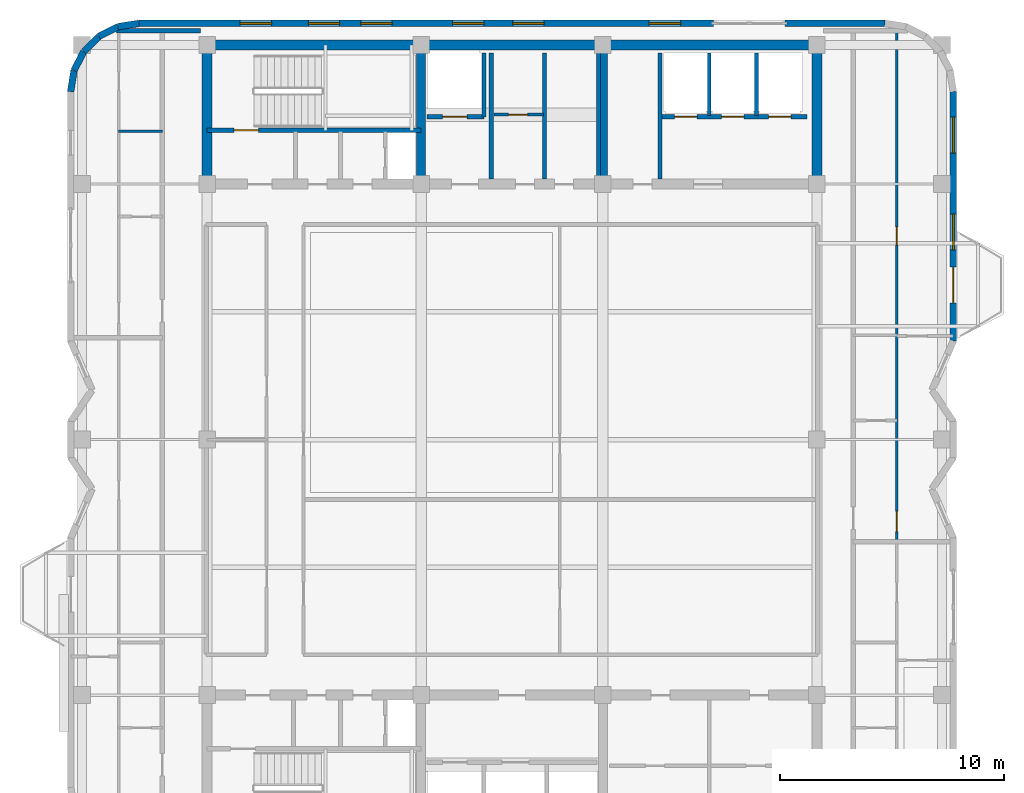
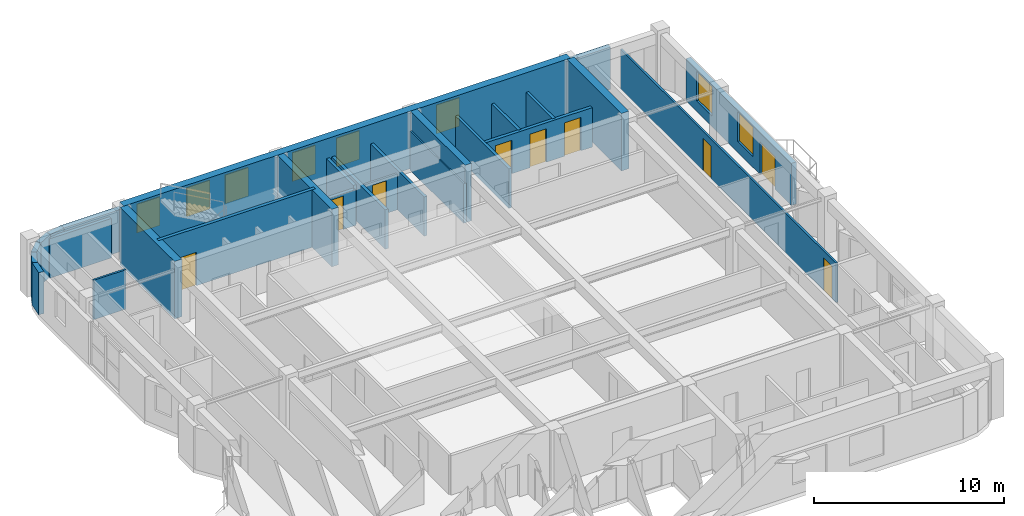
# One storey, part 8 of 11: 27 walls, 9 doors, 8 windows, 17 openings.
"""IFC4 building model written with IfcOpenShell, lengths in metres."""

from ifc_helpers import new_model, si_unit, direction, frame, frame_2d, origin, place, context, subcontext, project, spatial, rectangle, extrude, material, layer, layer_set, type_object, element, fill, save


model = new_model("IFC4")

# Units and contexts
model_context = context("Model", 3, precision=1e-05, world=origin(), true_north=direction((0.0, 1.0)))
body_context = subcontext(model_context, "Body", "Model", "MODEL_VIEW")
ifc_project = project(units=[si_unit("LENGTHUNIT", "METRE"), si_unit("AREAUNIT", "SQUARE_METRE"), si_unit("VOLUMEUNIT", "CUBIC_METRE"), si_unit("PLANEANGLEUNIT", "RADIAN"), si_unit("MASSUNIT", "GRAM", prefix="KILO")], contexts=[model_context])

# Site, building, storey
site_placement = place(None, origin())
site = spatial("IfcSite", under=ifc_project, at=site_placement, CompositionType="ELEMENT")
building_placement = place(site_placement, origin())
building = spatial("IfcBuilding", under=site, at=building_placement, Name="Svetorya Sky Lyceum", CompositionType="ELEMENT")
storey_placement = place(building_placement, frame((0.0, 0.0, 293.5)))
storey = spatial("IfcBuildingStorey", under=building, at=storey_placement, Name="L74", CompositionType="ELEMENT", Elevation=293.5)

# Walls
ifc_material_1 = material(Name="Concrete C40/50", Category="concrete")
ifc_layer_1 = layer(ifc_material_1, 0.39990234375)
ifc_layer_set_1 = layer_set([ifc_layer_1], Name="Concrete C40/50")
wall_type_1 = type_object("IfcWallType", Name="WL-CORE-400", PredefinedType="SHEAR", material=ifc_layer_set_1)
for number, where, z_axis, x_axis, name in (
    (1, (35.14990234375, 39.824951171875, 0.0), (0.0, 0.0, 1.0), (0.0, 1.0, 0.0), "L74 NC Internal Shear Web WEB1"),
    (2, (43.25, 39.824951171875, 0.0), (0.0, 0.0, 1.0), (0.0, 1.0, 0.0), "L74 NC Internal Shear Web WEB2"),
):
    element("IfcWall", number, at=place(storey_placement, frame(where, z_axis=z_axis, x_axis=x_axis)), inside=storey, type_object=wall_type_1, Name=name, PredefinedType="SHEAR", context=body_context, shape_type="SweptSolid", body=[
        extrude(rectangle(XDim=5.75, YDim=0.39990234375, at=frame_2d((2.875, 0.0))), origin(), (0.0, 0.0, 1.0), 3.699951171875),
    ])
ifc_material_2 = material(Name="Concrete C50/60", Category="concrete")
ifc_layer_2 = layer(ifc_material_2, 0.449951171875)
ifc_layer_set_2 = layer_set([ifc_layer_2], Name="Concrete C50/60")
wall_type_2 = type_object("IfcWallType", Name="WL-CORE-450", PredefinedType="SHEAR", material=ifc_layer_set_2)
wall_1_placement = place(storey_placement, frame((25.60009765625, 45.800048828125, 0.0), z_axis=(0.0, 0.0, 1.0), x_axis=(1.0, 0.0, 0.0)))
element("IfcWall", 3, at=wall_1_placement, inside=storey, type_object=wall_type_2, Name="L74 NC Outer Core Shear Wall", PredefinedType="SHEAR", context=body_context, shape_type="SweptSolid", body=[
    extrude(rectangle(XDim=27.199951171875, YDim=0.449951171875, at=frame_2d((13.60009765625, 0.0))), origin(), (0.0, 0.0, 1.0), 3.699951171875),
])
for number, where, z_axis, x_axis, name in (
    (4, (25.60009765625, 39.824951171875, 0.0), (0.0, 0.0, 1.0), (0.0, 1.0, 0.0), "L74 NC West Core Shear Wall"),
    (5, (52.800048828125, 39.824951171875, 0.0), (0.0, 0.0, 1.0), (0.0, 1.0, 0.0), "L74 NC East Core Shear Wall"),
):
    element("IfcWall", number, at=place(storey_placement, frame(where, z_axis=z_axis, x_axis=x_axis)), inside=storey, type_object=wall_type_2, Name=name, PredefinedType="SHEAR", context=body_context, shape_type="SweptSolid", body=[
        extrude(rectangle(XDim=5.75, YDim=0.449951171875, at=frame_2d((2.875, 0.0))), origin(), (0.0, 0.0, 1.0), 3.699951171875),
    ])

# Wall, openings, door, windows
ifc_material_3 = material(Name="Putilovo limestone rainscreen on autoclaved cellular masonry", Category="masonry")
ifc_layer_3 = layer(ifc_material_3, 0.300048828125)
ifc_layer_set_3 = layer_set([ifc_layer_3], Name="Putilovo limestone rainscreen on autoclaved cellular masonry")
wall_type_3 = type_object("IfcWallType", Name="WL-EXT-300", PredefinedType="SOLIDWALL", material=ifc_layer_set_3)
wall_2_placement = place(storey_placement, frame((58.889892578125, 32.60009765625, 0.0), z_axis=(0.0, 0.0, 1.0), x_axis=(0.0, 1.0, 0.0)))
wall_2 = element("IfcWall", 6, at=wall_2_placement, inside=storey, type_object=wall_type_3, Name="L74 Limestone Exterior Wall 18M", PredefinedType="SOLIDWALL", context=body_context, shape_type="SweptSolid", body=[
    extrude(rectangle(XDim=11.119873046875, YDim=0.300048828125, at=frame_2d((5.56005859375, 0.0))), origin(), (0.0, 0.0, 1.0), 2.7099609375),
])
opening_1_placement = place(wall_2_placement, frame((1.699951171875, 0.0, 0.0)))
opening_1 = element("IfcOpeningElement", 7, at=opening_1_placement, cuts=wall_2, Name="Opening D-BL1", PredefinedType="OPENING", context=body_context, shape_type="SweptSolid", body=[
    extrude(rectangle(XDim=1.60009765625, YDim=2.10009765625, at=frame_2d((0.800048828125, 1.050048828125))), frame((0.0, 0.159912109375, 0.0), z_axis=(0.0, -1.0, 0.0), x_axis=(1.0, 0.0, 0.0)), (0.0, 0.0, 1.0), 0.320068359375),
])
opening_2_placement = place(wall_2_placement, frame((4.06005859375, 0.0, 0.68994140625)))
opening_2 = element("IfcOpeningElement", 8, at=opening_2_placement, cuts=wall_2, Name="Opening W-R4", PredefinedType="OPENING", context=body_context, shape_type="SweptSolid", body=[
    extrude(rectangle(XDim=1.60009765625, YDim=1.89990234375, at=frame_2d((0.800048828125, 0.949951171875))), frame((0.0, 0.159912109375, 0.0), z_axis=(0.0, -1.0, 0.0), x_axis=(1.0, 0.0, 0.0)), (0.0, 0.0, 1.0), 0.320068359375),
])
opening_3_placement = place(wall_2_placement, frame((8.38330078125, 0.0, 0.68994140625)))
opening_3 = element("IfcOpeningElement", 9, at=opening_3_placement, cuts=wall_2, Name="Opening W-R4", PredefinedType="OPENING", context=body_context, shape_type="SweptSolid", body=[
    extrude(rectangle(XDim=1.60009765625, YDim=1.89990234375, at=frame_2d((0.800048828125, 0.949951171875))), frame((0.0, 0.159912109375, 0.0), z_axis=(0.0, -1.0, 0.0), x_axis=(1.0, 0.0, 0.0)), (0.0, 0.0, 1.0), 0.320068359375),
])
ifc_material_4 = material(Name="Insulated glazed aluminium balcony door", Category="aluminium")
door_type_1 = type_object("IfcDoorType", Name="DR-BAL-1600", OperationType="DOUBLE_DOOR_SINGLE_SWING", PredefinedType="DOOR", material=ifc_material_4)
door_1_placement = place(opening_1_placement, origin())
door_1 = element("IfcDoor", 10, at=door_1_placement, inside=storey, type_object=door_type_1, Name="L74 Balcony BAL-E1 Door", OperationType="DOUBLE_DOOR_SINGLE_SWING", OverallHeight=2.10009765625, OverallWidth=1.60009765625, PredefinedType="DOOR", context=body_context, shape_type="SweptSolid", body=[
    extrude(rectangle(XDim=1.60009765625, YDim=2.10009765625, at=frame_2d((0.800048828125, 1.050048828125))), frame((0.0, 0.02490234375, 0.0), z_axis=(0.0, -1.0, 0.0), x_axis=(1.0, 0.0, 0.0)), (0.0, 0.0, 1.0), 0.050048828125),
])
fill(opening_1, door_1)
ifc_material_5 = material(Name="Thermally broken aluminium frame with triple low-E glazing", Category="aluminium")
window_type_1 = type_object("IfcWindowType", Name="WN-RES-160", PartitioningType="DOUBLE_PANEL_VERTICAL", PredefinedType="WINDOW", material=ifc_material_5)
window_1_placement = place(opening_2_placement, origin())
window_1 = element("IfcWindow", 11, at=window_1_placement, inside=storey, type_object=window_type_1, Name="L74 Facade Window W-R4.18M.1", OverallHeight=1.89990234375, OverallWidth=1.60009765625, PartitioningType="SINGLE_PANEL", PredefinedType="WINDOW", context=body_context, shape_type="SweptSolid", body=[
    extrude(rectangle(XDim=1.60009765625, YDim=1.89990234375, at=frame_2d((0.800048828125, 0.949951171875))), frame((0.0, 0.030029296875, 0.0), z_axis=(0.0, -1.0, 0.0), x_axis=(1.0, 0.0, 0.0)), (0.0, 0.0, 1.0), 0.06005859375),
])
fill(opening_2, window_1)
window_2_placement = place(opening_3_placement, origin())
window_2 = element("IfcWindow", 12, at=window_2_placement, inside=storey, type_object=window_type_1, Name="L74 Facade Window W-R4.18M.2", OverallHeight=1.89990234375, OverallWidth=1.60009765625, PartitioningType="SINGLE_PANEL", PredefinedType="WINDOW", context=body_context, shape_type="SweptSolid", body=[
    extrude(rectangle(XDim=1.60009765625, YDim=1.89990234375, at=frame_2d((0.800048828125, 0.949951171875))), frame((0.0, 0.030029296875, 0.0), z_axis=(0.0, -1.0, 0.0), x_axis=(1.0, 0.0, 0.0)), (0.0, 0.0, 1.0), 0.06005859375),
])
fill(opening_3, window_2)

# Wall
wall_3_placement = place(storey_placement, frame((55.840087890625, 46.77001953125, 0.0), z_axis=(0.0, 0.0, 1.0), x_axis=(-1.0, 0.0, 0.0)))
element("IfcWall", 13, at=wall_3_placement, inside=storey, type_object=wall_type_3, Name="L74 Limestone Exterior Wall 24A", PredefinedType="SOLIDWALL", context=body_context, shape_type="SweptSolid", body=[
    extrude(rectangle(XDim=4.4501953125, YDim=0.300048828125, at=frame_2d((2.22509765625, 0.0))), origin(), (0.0, 0.0, 1.0), 2.7099609375),
])

# Wall, openings, windows
wall_4_placement = place(storey_placement, frame((48.18994140625, 46.77001953125, 0.0), z_axis=(0.0, 0.0, 1.0), x_axis=(-1.0, 0.0, 0.0)))
wall_4 = element("IfcWall", 14, at=wall_4_placement, inside=storey, type_object=wall_type_3, Name="L74 Limestone Exterior Wall 24B", PredefinedType="SOLIDWALL", context=body_context, shape_type="SweptSolid", body=[
    extrude(rectangle(XDim=25.6298828125, YDim=0.300048828125, at=frame_2d((12.81494140625, 0.0))), origin(), (0.0, 0.0, 1.0), 2.7099609375),
])
opening_4_placement = place(wall_4_placement, frame((1.470703125, 0.0, 0.739990234375)))
opening_4 = element("IfcOpeningElement", 15, at=opening_4_placement, cuts=wall_4, Name="Opening W-R2", PredefinedType="OPENING", context=body_context, shape_type="SweptSolid", body=[
    extrude(rectangle(XDim=1.39990234375, YDim=1.85009765625, at=frame_2d((0.699951171875, 0.925048828125))), frame((0.0, 0.159912109375, 0.0), z_axis=(0.0, -1.0, 0.0), x_axis=(1.0, 0.0, 0.0)), (0.0, 0.0, 1.0), 0.320068359375),
])
opening_5_placement = place(wall_4_placement, frame((7.552978515625, 0.0, 0.739990234375)))
opening_5 = element("IfcOpeningElement", 16, at=opening_5_placement, cuts=wall_4, Name="Opening W-R2", PredefinedType="OPENING", context=body_context, shape_type="SweptSolid", body=[
    extrude(rectangle(XDim=1.39990234375, YDim=1.85009765625, at=frame_2d((0.699951171875, 0.925048828125))), frame((0.0, 0.159912109375, 0.0), z_axis=(0.0, -1.0, 0.0), x_axis=(1.0, 0.0, 0.0)), (0.0, 0.0, 1.0), 0.320068359375),
])
opening_6_placement = place(wall_4_placement, frame((10.244384765625, 0.0, 0.739990234375)))
opening_6 = element("IfcOpeningElement", 17, at=opening_6_placement, cuts=wall_4, Name="Opening W-R2", PredefinedType="OPENING", context=body_context, shape_type="SweptSolid", body=[
    extrude(rectangle(XDim=1.39990234375, YDim=1.85009765625, at=frame_2d((0.699951171875, 0.925048828125))), frame((0.0, 0.159912109375, 0.0), z_axis=(0.0, -1.0, 0.0), x_axis=(1.0, 0.0, 0.0)), (0.0, 0.0, 1.0), 0.320068359375),
])
opening_7_placement = place(wall_4_placement, frame((14.335693359375, 0.0, 0.739990234375)))
opening_7 = element("IfcOpeningElement", 18, at=opening_7_placement, cuts=wall_4, Name="Opening W-R2", PredefinedType="OPENING", context=body_context, shape_type="SweptSolid", body=[
    extrude(rectangle(XDim=1.39990234375, YDim=1.85009765625, at=frame_2d((0.699951171875, 0.925048828125))), frame((0.0, 0.159912109375, 0.0), z_axis=(0.0, -1.0, 0.0), x_axis=(1.0, 0.0, 0.0)), (0.0, 0.0, 1.0), 0.320068359375),
])
opening_8_placement = place(wall_4_placement, frame((16.677001953125, 0.0, 0.739990234375)))
opening_8 = element("IfcOpeningElement", 19, at=opening_8_placement, cuts=wall_4, Name="Opening W-R2", PredefinedType="OPENING", context=body_context, shape_type="SweptSolid", body=[
    extrude(rectangle(XDim=1.39990234375, YDim=1.85009765625, at=frame_2d((0.699951171875, 0.925048828125))), frame((0.0, 0.159912109375, 0.0), z_axis=(0.0, -1.0, 0.0), x_axis=(1.0, 0.0, 0.0)), (0.0, 0.0, 1.0), 0.320068359375),
])
opening_9_placement = place(wall_4_placement, frame((19.718017578125, 0.0, 0.739990234375)))
opening_9 = element("IfcOpeningElement", 20, at=opening_9_placement, cuts=wall_4, Name="Opening W-R2", PredefinedType="OPENING", context=body_context, shape_type="SweptSolid", body=[
    extrude(rectangle(XDim=1.39990234375, YDim=1.85009765625, at=frame_2d((0.699951171875, 0.925048828125))), frame((0.0, 0.159912109375, 0.0), z_axis=(0.0, -1.0, 0.0), x_axis=(1.0, 0.0, 0.0)), (0.0, 0.0, 1.0), 0.320068359375),
])
window_type_2 = type_object("IfcWindowType", Name="WN-RES-140", PartitioningType="SINGLE_PANEL", PredefinedType="WINDOW", material=ifc_material_5)
window_3_placement = place(opening_4_placement, origin())
window_3 = element("IfcWindow", 21, at=window_3_placement, inside=storey, type_object=window_type_2, Name="L74 Facade Window W-R2.24B.1", OverallHeight=1.85009765625, OverallWidth=1.39990234375, PartitioningType="SINGLE_PANEL", PredefinedType="WINDOW", context=body_context, shape_type="SweptSolid", body=[
    extrude(rectangle(XDim=1.39990234375, YDim=1.85009765625, at=frame_2d((0.699951171875, 0.925048828125))), frame((0.0, 0.030029296875, 0.0), z_axis=(0.0, -1.0, 0.0), x_axis=(1.0, 0.0, 0.0)), (0.0, 0.0, 1.0), 0.06005859375),
])
fill(opening_4, window_3)
window_4_placement = place(opening_5_placement, origin())
window_4 = element("IfcWindow", 22, at=window_4_placement, inside=storey, type_object=window_type_2, Name="L74 Facade Window W-R2.24B.2", OverallHeight=1.85009765625, OverallWidth=1.39990234375, PartitioningType="SINGLE_PANEL", PredefinedType="WINDOW", context=body_context, shape_type="SweptSolid", body=[
    extrude(rectangle(XDim=1.39990234375, YDim=1.85009765625, at=frame_2d((0.699951171875, 0.925048828125))), frame((0.0, 0.030029296875, 0.0), z_axis=(0.0, -1.0, 0.0), x_axis=(1.0, 0.0, 0.0)), (0.0, 0.0, 1.0), 0.06005859375),
])
fill(opening_5, window_4)
window_5_placement = place(opening_6_placement, origin())
window_5 = element("IfcWindow", 23, at=window_5_placement, inside=storey, type_object=window_type_2, Name="L74 Facade Window W-R2.24B.3", OverallHeight=1.85009765625, OverallWidth=1.39990234375, PartitioningType="SINGLE_PANEL", PredefinedType="WINDOW", context=body_context, shape_type="SweptSolid", body=[
    extrude(rectangle(XDim=1.39990234375, YDim=1.85009765625, at=frame_2d((0.699951171875, 0.925048828125))), frame((0.0, 0.030029296875, 0.0), z_axis=(0.0, -1.0, 0.0), x_axis=(1.0, 0.0, 0.0)), (0.0, 0.0, 1.0), 0.06005859375),
])
fill(opening_6, window_5)
window_6_placement = place(opening_7_placement, origin())
window_6 = element("IfcWindow", 24, at=window_6_placement, inside=storey, type_object=window_type_2, Name="L74 Facade Window W-R2.24B.4", OverallHeight=1.85009765625, OverallWidth=1.39990234375, PartitioningType="SINGLE_PANEL", PredefinedType="WINDOW", context=body_context, shape_type="SweptSolid", body=[
    extrude(rectangle(XDim=1.39990234375, YDim=1.85009765625, at=frame_2d((0.699951171875, 0.925048828125))), frame((0.0, 0.030029296875, 0.0), z_axis=(0.0, -1.0, 0.0), x_axis=(1.0, 0.0, 0.0)), (0.0, 0.0, 1.0), 0.06005859375),
])
fill(opening_7, window_6)
window_7_placement = place(opening_8_placement, origin())
window_7 = element("IfcWindow", 25, at=window_7_placement, inside=storey, type_object=window_type_2, Name="L74 Facade Window W-R2.24B.5", OverallHeight=1.85009765625, OverallWidth=1.39990234375, PartitioningType="SINGLE_PANEL", PredefinedType="WINDOW", context=body_context, shape_type="SweptSolid", body=[
    extrude(rectangle(XDim=1.39990234375, YDim=1.85009765625, at=frame_2d((0.699951171875, 0.925048828125))), frame((0.0, 0.030029296875, 0.0), z_axis=(0.0, -1.0, 0.0), x_axis=(1.0, 0.0, 0.0)), (0.0, 0.0, 1.0), 0.06005859375),
])
fill(opening_8, window_7)
window_8_placement = place(opening_9_placement, origin())
window_8 = element("IfcWindow", 26, at=window_8_placement, inside=storey, type_object=window_type_2, Name="L74 Facade Window W-R2.24B.6", OverallHeight=1.85009765625, OverallWidth=1.39990234375, PartitioningType="SINGLE_PANEL", PredefinedType="WINDOW", context=body_context, shape_type="SweptSolid", body=[
    extrude(rectangle(XDim=1.39990234375, YDim=1.85009765625, at=frame_2d((0.699951171875, 0.925048828125))), frame((0.0, 0.030029296875, 0.0), z_axis=(0.0, -1.0, 0.0), x_axis=(1.0, 0.0, 0.0)), (0.0, 0.0, 1.0), 0.06005859375),
])
fill(opening_9, window_8)

# Walls
wall_5_placement = place(storey_placement, frame((22.56005859375, 46.77001953125, 0.0), z_axis=(0.0, 0.0, 1.0), x_axis=(-0.987669453596, -0.156553666304, 0.0)))
element("IfcWall", 27, at=wall_5_placement, inside=storey, type_object=wall_type_3, Name="L74 Limestone Exterior Wall 25M", PredefinedType="SOLIDWALL", context=body_context, shape_type="SweptSolid", body=[
    extrude(rectangle(XDim=0.954345703125, YDim=0.300048828125, at=frame_2d((0.47705078125, 0.0))), origin(), (0.0, 0.0, 1.0), 2.7099609375),
])
wall_6_placement = place(storey_placement, frame((21.617431640625, 46.62060546875, 0.0), z_axis=(0.0, 0.0, 1.0), x_axis=(-0.891023873617, -0.45395644796, 0.0)))
element("IfcWall", 28, at=wall_6_placement, inside=storey, type_object=wall_type_3, Name="L74 Limestone Exterior Wall 26M", PredefinedType="SOLIDWALL", context=body_context, shape_type="SweptSolid", body=[
    extrude(rectangle(XDim=0.9541015625, YDim=0.300048828125, at=frame_2d((0.47705078125, 0.0))), origin(), (0.0, 0.0, 1.0), 2.7099609375),
])
wall_7_placement = place(storey_placement, frame((20.767333984375, 46.1875, 0.0), z_axis=(0.0, 0.0, 1.0), x_axis=(-0.707106781187, -0.707106781187, 0.0)))
element("IfcWall", 29, at=wall_7_placement, inside=storey, type_object=wall_type_3, Name="L74 Limestone Exterior Wall 27M", PredefinedType="SOLIDWALL", context=body_context, shape_type="SweptSolid", body=[
    extrude(rectangle(XDim=0.954345703125, YDim=0.300048828125, at=frame_2d((0.47705078125, 0.0))), origin(), (0.0, 0.0, 1.0), 2.7099609375),
])
wall_8_placement = place(storey_placement, frame((20.092529296875, 45.5126953125, 0.0), z_axis=(0.0, 0.0, 1.0), x_axis=(-0.454159573051, -0.890920356825, 0.0)))
element("IfcWall", 30, at=wall_8_placement, inside=storey, type_object=wall_type_3, Name="L74 Limestone Exterior Wall 28M", PredefinedType="SOLIDWALL", context=body_context, shape_type="SweptSolid", body=[
    extrude(rectangle(XDim=0.9541015625, YDim=0.300048828125, at=frame_2d((0.47705078125, 0.0))), origin(), (0.0, 0.0, 1.0), 2.7099609375),
])
wall_9_placement = place(storey_placement, frame((19.6591796875, 44.66259765625, 0.0), z_axis=(0.0, 0.0, 1.0), x_axis=(-0.156304114255, -0.987708977314, 0.0)))
element("IfcWall", 31, at=wall_9_placement, inside=storey, type_object=wall_type_3, Name="L74 Limestone Exterior Wall 29M", PredefinedType="SOLIDWALL", context=body_context, shape_type="SweptSolid", body=[
    extrude(rectangle(XDim=0.954345703125, YDim=0.300048828125, at=frame_2d((0.47705078125, 0.0))), origin(), (0.0, 0.0, 1.0), 2.7099609375),
])

# Wall, opening, door
ifc_material_6 = material(Name="Twin-stud galvanized framing with double fireboard", Category="gypsum")
ifc_layer_4 = layer(ifc_material_6, 0.1201171875)
ifc_layer_set_4 = layer_set([ifc_layer_4], Name="Twin-stud galvanized framing with double fireboard")
wall_type_4 = type_object("IfcWallType", Name="WL-PART-120", PredefinedType="PARTITIONING", material=ifc_layer_set_4)
wall_10_placement = place(storey_placement, frame((38.39990234375, 42.699951171875, 0.0), z_axis=(0.0, 0.0, 1.0), x_axis=(1.0, 0.0, 0.0)))
wall_10 = element("IfcWall", 32, at=wall_10_placement, inside=storey, type_object=wall_type_4, Name="L74 Interior Partition NC-FPM-H", PredefinedType="PARTITIONING", context=body_context, shape_type="SweptSolid", body=[
    extrude(rectangle(XDim=2.2001953125, YDim=0.1201171875, at=frame_2d((1.10009765625, 0.0))), origin(), (0.0, 0.0, 1.0), 2.31005859375),
])
opening_10_placement = place(wall_10_placement, frame((0.64990234375, 0.0, 0.0)))
opening_10 = element("IfcOpeningElement", 33, at=opening_10_placement, cuts=wall_10, Name="Opening D-CWC1", PredefinedType="OPENING", context=body_context, shape_type="SweptSolid", body=[
    extrude(rectangle(XDim=0.85009765625, YDim=2.10009765625, at=frame_2d((0.425048828125, 1.050048828125))), frame((0.0, 0.070068359375, 0.0), z_axis=(0.0, -1.0, 0.0), x_axis=(1.0, 0.0, 0.0)), (0.0, 0.0, 1.0), 0.14013671875),
])
ifc_material_7 = material(Name="Fire-rated galvanized steel core service closet door", Category="steel")
door_type_2 = type_object("IfcDoorType", Name="DR-CWET-850", OperationType="SINGLE_SWING_LEFT", PredefinedType="DOOR", material=ifc_material_7)
door_2_placement = place(opening_10_placement, origin())
door_2 = element("IfcDoor", 34, at=door_2_placement, inside=storey, type_object=door_type_2, Name="L74 Rear IT Closet Door", OperationType="SINGLE_SWING_LEFT", OverallHeight=2.10009765625, OverallWidth=0.85009765625, PredefinedType="DOOR", context=body_context, shape_type="SweptSolid", body=[
    extrude(rectangle(XDim=0.85009765625, YDim=2.10009765625, at=frame_2d((0.425048828125, 1.050048828125))), frame((0.0, 0.02490234375, 0.0), z_axis=(0.0, -1.0, 0.0), x_axis=(1.0, 0.0, 0.0)), (0.0, 0.0, 1.0), 0.050048828125),
])
fill(opening_10, door_2)

# Wall
wall_11_placement = place(storey_placement, frame((21.64990234375, 41.949951171875, 0.0), z_axis=(0.0, 0.0, 1.0), x_axis=(1.0, 0.0, 0.0)))
element("IfcWall", 35, at=wall_11_placement, inside=storey, type_object=wall_type_4, Name="L74 Interior Partition W2-WH2", PredefinedType="PARTITIONING", context=body_context, shape_type="SweptSolid", body=[
    extrude(rectangle(XDim=1.9501953125, YDim=0.1201171875, at=frame_2d((0.97509765625, 0.0))), origin(), (0.0, 0.0, 1.0), 2.5400390625),
])

# Wall, openings, doors
wall_12_placement = place(storey_placement, frame((56.3701171875, 23.68994140625, 0.0), z_axis=(0.0, 0.0, 1.0), x_axis=(0.0, 1.0, 0.0)))
wall_12 = element("IfcWall", 36, at=wall_12_placement, inside=storey, type_object=wall_type_4, Name="L74 Interior Partition E2-WV", PredefinedType="PARTITIONING", context=body_context, shape_type="SweptSolid", body=[
    extrude(rectangle(XDim=22.719970703125, YDim=0.1201171875, at=frame_2d((11.35986328125, 0.0))), origin(), (0.0, 0.0, 1.0), 2.5400390625),
])
opening_11_placement = place(wall_12_placement, frame((0.409912109375, 0.0, 0.0)))
opening_11 = element("IfcOpeningElement", 37, at=opening_11_placement, cuts=wall_12, Name="Opening D-RM1", PredefinedType="OPENING", context=body_context, shape_type="SweptSolid", body=[
    extrude(rectangle(XDim=0.89990234375, YDim=2.10009765625, at=frame_2d((0.449951171875, 1.050048828125))), frame((0.0, 0.070068359375, 0.0), z_axis=(0.0, -1.0, 0.0), x_axis=(1.0, 0.0, 0.0)), (0.0, 0.0, 1.0), 0.14013671875),
])
opening_12_placement = place(wall_12_placement, frame((13.18505859375, 0.0, 0.0)))
opening_12 = element("IfcOpeningElement", 38, at=opening_12_placement, cuts=wall_12, Name="Opening D-BT2", PredefinedType="OPENING", context=body_context, shape_type="SweptSolid", body=[
    extrude(rectangle(XDim=0.820068359375, YDim=2.080078125, at=frame_2d((0.41015625, 1.0400390625))), frame((0.0, 0.070068359375, 0.0), z_axis=(0.0, -1.0, 0.0), x_axis=(1.0, 0.0, 0.0)), (0.0, 0.0, 1.0), 0.14013671875),
])
ifc_material_8 = material(Name="Lacquered birch veneer internal door")
door_type_3 = type_object("IfcDoorType", Name="DR-INT-900", OperationType="SINGLE_SWING_LEFT", PredefinedType="DOOR", material=ifc_material_8)
door_3_placement = place(opening_11_placement, origin())
door_3 = element("IfcDoor", 39, at=door_3_placement, inside=storey, type_object=door_type_3, Name="Apartment E2 Living Door", OperationType="SINGLE_SWING_RIGHT", OverallHeight=2.10009765625, OverallWidth=0.89990234375, PredefinedType="DOOR", context=body_context, shape_type="SweptSolid", body=[
    extrude(rectangle(XDim=0.89990234375, YDim=2.10009765625, at=frame_2d((0.449951171875, 1.050048828125))), frame((0.0, 0.02490234375, 0.0), z_axis=(0.0, -1.0, 0.0), x_axis=(1.0, 0.0, 0.0)), (0.0, 0.0, 1.0), 0.050048828125),
])
fill(opening_11, door_3)
ifc_material_9 = material(Name="Compact moisture-resistant laminate closet door")
door_type_4 = type_object("IfcDoorType", Name="DR-WET-820", OperationType="SINGLE_SWING_LEFT", PredefinedType="DOOR", material=ifc_material_9)
door_4_placement = place(opening_12_placement, origin())
door_4 = element("IfcDoor", 40, at=door_4_placement, inside=storey, type_object=door_type_4, Name="Apartment E2 Study Door", OperationType="SINGLE_SWING_LEFT", OverallHeight=2.080078125, OverallWidth=0.820068359375, PredefinedType="DOOR", context=body_context, shape_type="SweptSolid", body=[
    extrude(rectangle(XDim=0.820068359375, YDim=2.080078125, at=frame_2d((0.41015625, 1.0400390625))), frame((0.0, 0.02490234375, 0.0), z_axis=(0.0, -1.0, 0.0), x_axis=(1.0, 0.0, 0.0)), (0.0, 0.0, 1.0), 0.050048828125),
])
fill(opening_12, door_4)

# Walls
ifc_material_10 = material(Name="Autoclaved cellular masonry blockwork with fire render", Category="masonry")
ifc_layer_5 = layer(ifc_material_10, 0.175048828125)
ifc_layer_set_5 = layer_set([ifc_layer_5], Name="Autoclaved cellular masonry blockwork with fire render")
wall_type_5 = type_object("IfcWallType", Name="WL-PART-175", PredefinedType="PARTITIONING", material=ifc_layer_set_5)
wall_13_placement = place(storey_placement, frame((37.949951171875, 42.60009765625, 0.0), z_axis=(0.0, 0.0, 1.0), x_axis=(0.0, 1.0, 0.0)))
element("IfcWall", 41, at=wall_13_placement, inside=storey, type_object=wall_type_5, Name="L74 Interior Partition NC-FL1SIDE", PredefinedType="PARTITIONING", context=body_context, shape_type="SweptSolid", body=[
    extrude(rectangle(XDim=2.849853515625, YDim=0.175048828125, at=frame_2d((1.4248046875, 0.0))), origin(), (0.0, 0.0, 1.0), 2.5400390625),
])
for number, where, z_axis, x_axis, name in (
    (42, (43.050048828125, 39.820068359375, 0.0), (0.0, 0.0, 1.0), (0.0, 1.0, 0.0), "L74 Interior Partition NC-FPM-END"),
    (43, (40.64990234375, 39.820068359375, 0.0), (0.0, 0.0, 1.0), (0.0, 1.0, 0.0), "L74 Interior Partition NC-FPM-V"),
    (44, (45.800048828125, 39.820068359375, 0.0), (0.0, 0.0, 1.0), (0.0, 1.0, 0.0), "L74 Interior Partition NC-PM3-FULL"),
):
    element("IfcWall", number, at=place(storey_placement, frame(where, z_axis=z_axis, x_axis=x_axis)), inside=storey, type_object=wall_type_5, Name=name, PredefinedType="PARTITIONING", context=body_context, shape_type="SweptSolid", body=[
        extrude(rectangle(XDim=5.6298828125, YDim=0.175048828125, at=frame_2d((2.81494140625, 0.0))), origin(), (0.0, 0.0, 1.0), 2.5400390625),
    ])
for number, where, z_axis, x_axis, name in (
    (45, (48.0, 42.64990234375, 0.0), (0.0, 0.0, 1.0), (0.0, 1.0, 0.0), "L74 Interior Partition NC-PH-D1"),
    (46, (50.10009765625, 42.64990234375, 0.0), (0.0, 0.0, 1.0), (0.0, 1.0, 0.0), "L74 Interior Partition NC-PH-D2"),
):
    element("IfcWall", number, at=place(storey_placement, frame(where, z_axis=z_axis, x_axis=x_axis)), inside=storey, type_object=wall_type_5, Name=name, PredefinedType="PARTITIONING", context=body_context, shape_type="SweptSolid", body=[
        extrude(rectangle(XDim=2.800048828125, YDim=0.175048828125, at=frame_2d((1.39990234375, 0.0))), origin(), (0.0, 0.0, 1.0), 2.5400390625),
    ])

# Wall, opening, door
ifc_material_11 = material(Name="Autoclaved cellular masonry blockwork with gypsum plaster", Category="masonry")
ifc_layer_6 = layer(ifc_material_11, 0.199951171875)
ifc_layer_set_6 = layer_set([ifc_layer_6], Name="Autoclaved cellular masonry blockwork with gypsum plaster")
wall_type_6 = type_object("IfcWallType", Name="WL-PART-200", PredefinedType="PARTITIONING", material=ifc_layer_set_6)
wall_14_placement = place(storey_placement, frame((37.949951171875, 42.60009765625, 0.0), z_axis=(0.0, 0.0, 1.0), x_axis=(-1.0, 0.0, 0.0)))
wall_14 = element("IfcWall", 47, at=wall_14_placement, inside=storey, type_object=wall_type_6, Name="L74 Interior Partition NC-FL1W", PredefinedType="PARTITIONING", context=body_context, shape_type="SweptSolid", body=[
    extrude(rectangle(XDim=2.550048828125, YDim=0.199951171875, at=frame_2d((1.27490234375, 0.0))), origin(), (0.0, 0.0, 1.0), 2.31005859375),
])
opening_13_placement = place(wall_14_placement, frame((0.75, 0.0, 0.0)))
opening_13 = element("IfcOpeningElement", 48, at=opening_13_placement, cuts=wall_14, Name="Opening LD-FL", PredefinedType="OPENING", context=body_context, shape_type="SweptSolid", body=[
    extrude(rectangle(XDim=1.10009765625, YDim=2.14990234375, at=frame_2d((0.550048828125, 1.074951171875))), frame((0.0, 0.10986328125, 0.0), z_axis=(0.0, -1.0, 0.0), x_axis=(1.0, 0.0, 0.0)), (0.0, 0.0, 1.0), 0.219970703125),
])
ifc_material_12 = material(Name="Fire-rated stainless AISI 304 firefighting lift landing door")
door_type_5 = type_object("IfcDoorType", Name="DR-LIFT-1100", OperationType="SLIDING_TO_LEFT", PredefinedType="DOOR", material=ifc_material_12)
door_5_placement = place(opening_13_placement, origin())
door_5 = element("IfcDoor", 49, at=door_5_placement, inside=storey, type_object=door_type_5, Name="L74 Firefighting Lift FL1 Landing Door", OperationType="SLIDING_TO_LEFT", OverallHeight=2.14990234375, OverallWidth=1.10009765625, PredefinedType="DOOR", context=body_context, shape_type="SweptSolid", body=[
    extrude(rectangle(XDim=1.10009765625, YDim=2.14990234375, at=frame_2d((0.550048828125, 1.074951171875))), frame((0.0, 0.02490234375, 0.0), z_axis=(0.0, -1.0, 0.0), x_axis=(1.0, 0.0, 0.0)), (0.0, 0.0, 1.0), 0.050048828125),
])
fill(opening_13, door_5)

# Wall
wall_15_placement = place(storey_placement, frame((38.280029296875, 39.820068359375, 0.0), z_axis=(0.0, 0.0, 1.0), x_axis=(0.0, 1.0, 0.0)))
element("IfcWall", 50, at=wall_15_placement, inside=storey, type_object=wall_type_6, Name="L74 Interior Partition NC-FFLDIV", PredefinedType="PARTITIONING", context=body_context, shape_type="SweptSolid", body=[
    extrude(rectangle(XDim=5.6298828125, YDim=0.199951171875, at=frame_2d((2.81494140625, 0.0))), origin(), (0.0, 0.0, 1.0), 2.5400390625),
])

# Wall, openings, doors
wall_16_placement = place(storey_placement, frame((52.35009765625, 42.60009765625, 0.0), z_axis=(0.0, 0.0, 1.0), x_axis=(-1.0, 0.0, 0.0)))
wall_16 = element("IfcWall", 51, at=wall_16_placement, inside=storey, type_object=wall_type_6, Name="L74 Interior Partition NC-PHEW", PredefinedType="PARTITIONING", context=body_context, shape_type="SweptSolid", body=[
    extrude(rectangle(XDim=6.5, YDim=0.199951171875, at=frame_2d((3.25, 0.0))), origin(), (0.0, 0.0, 1.0), 2.5400390625),
])
opening_14_placement = place(wall_16_placement, frame((4.89990234375, 0.0, 0.0)))
opening_14 = element("IfcOpeningElement", 52, at=opening_14_placement, cuts=wall_16, Name="Opening LD-P1", PredefinedType="OPENING", context=body_context, shape_type="SweptSolid", body=[
    extrude(rectangle(XDim=1.0, YDim=2.14990234375, at=frame_2d((0.5, 1.074951171875))), frame((0.0, 0.10986328125, 0.0), z_axis=(0.0, -1.0, 0.0), x_axis=(1.0, 0.0, 0.0)), (0.0, 0.0, 1.0), 0.219970703125),
])
opening_15_placement = place(wall_16_placement, frame((2.800048828125, 0.0, 0.0)))
opening_15 = element("IfcOpeningElement", 53, at=opening_15_placement, cuts=wall_16, Name="Opening LD-P1", PredefinedType="OPENING", context=body_context, shape_type="SweptSolid", body=[
    extrude(rectangle(XDim=1.0, YDim=2.14990234375, at=frame_2d((0.5, 1.074951171875))), frame((0.0, 0.10986328125, 0.0), z_axis=(0.0, -1.0, 0.0), x_axis=(1.0, 0.0, 0.0)), (0.0, 0.0, 1.0), 0.219970703125),
])
opening_16_placement = place(wall_16_placement, frame((0.699951171875, 0.0, 0.0)))
opening_16 = element("IfcOpeningElement", 54, at=opening_16_placement, cuts=wall_16, Name="Opening LD-P1", PredefinedType="OPENING", context=body_context, shape_type="SweptSolid", body=[
    extrude(rectangle(XDim=1.0, YDim=2.14990234375, at=frame_2d((0.5, 1.074951171875))), frame((0.0, 0.10986328125, 0.0), z_axis=(0.0, -1.0, 0.0), x_axis=(1.0, 0.0, 0.0)), (0.0, 0.0, 1.0), 0.219970703125),
])
ifc_material_13 = material(Name="Champagne-anodized stainless passenger lift landing door")
door_type_6 = type_object("IfcDoorType", Name="DR-LIFT-1000", OperationType="SLIDING_TO_LEFT", PredefinedType="DOOR", material=ifc_material_13)
door_6_placement = place(opening_14_placement, origin())
door_6 = element("IfcDoor", 55, at=door_6_placement, inside=storey, type_object=door_type_6, Name="L74 Passenger Lift PH1 Landing Door", OperationType="SLIDING_TO_LEFT", OverallHeight=2.14990234375, OverallWidth=1.0, PredefinedType="DOOR", context=body_context, shape_type="SweptSolid", body=[
    extrude(rectangle(XDim=1.0, YDim=2.14990234375, at=frame_2d((0.5, 1.074951171875))), frame((0.0, 0.02490234375, 0.0), z_axis=(0.0, -1.0, 0.0), x_axis=(1.0, 0.0, 0.0)), (0.0, 0.0, 1.0), 0.050048828125),
])
fill(opening_14, door_6)
door_7_placement = place(opening_15_placement, origin())
door_7 = element("IfcDoor", 56, at=door_7_placement, inside=storey, type_object=door_type_6, Name="L74 Passenger Lift PH2 Landing Door", OperationType="SLIDING_TO_LEFT", OverallHeight=2.14990234375, OverallWidth=1.0, PredefinedType="DOOR", context=body_context, shape_type="SweptSolid", body=[
    extrude(rectangle(XDim=1.0, YDim=2.14990234375, at=frame_2d((0.5, 1.074951171875))), frame((0.0, 0.02490234375, 0.0), z_axis=(0.0, -1.0, 0.0), x_axis=(1.0, 0.0, 0.0)), (0.0, 0.0, 1.0), 0.050048828125),
])
fill(opening_15, door_7)
door_8_placement = place(opening_16_placement, origin())
door_8 = element("IfcDoor", 57, at=door_8_placement, inside=storey, type_object=door_type_6, Name="L74 Passenger Lift PH3 Landing Door", OperationType="SLIDING_TO_LEFT", OverallHeight=2.14990234375, OverallWidth=1.0, PredefinedType="DOOR", context=body_context, shape_type="SweptSolid", body=[
    extrude(rectangle(XDim=1.0, YDim=2.14990234375, at=frame_2d((0.5, 1.074951171875))), frame((0.0, 0.02490234375, 0.0), z_axis=(0.0, -1.0, 0.0), x_axis=(1.0, 0.0, 0.0)), (0.0, 0.0, 1.0), 0.050048828125),
])
fill(opening_16, door_8)

# Wall
wall_17_placement = place(storey_placement, frame((21.5458984375, 46.449951171875, 0.0), z_axis=(0.0, 0.0, 1.0), x_axis=(1.0, 0.0, 0.0)))
element("IfcWall", 58, at=wall_17_placement, inside=storey, type_object=wall_type_6, Name="L74 Interior Partition W-CAP-N", PredefinedType="PARTITIONING", context=body_context, shape_type="SweptSolid", body=[
    extrude(rectangle(XDim=3.754150390625, YDim=0.199951171875, at=frame_2d((1.876953125, 0.0))), origin(), (0.0, 0.0, 1.0), 2.5400390625),
])

# Wall, opening, door
ifc_layer_7 = layer(ifc_material_2, 0.199951171875)
ifc_layer_set_7 = layer_set([ifc_layer_7], Name="Concrete C50/60")
wall_type_7 = type_object("IfcWallType", Name="WL-SHW-200", PredefinedType="SHEAR", material=ifc_layer_set_7)
wall_18_placement = place(storey_placement, frame((35.14990234375, 42.0, 0.0), z_axis=(0.0, 0.0, 1.0), x_axis=(-1.0, 0.0, 0.0)))
wall_18 = element("IfcWall", 59, at=wall_18_placement, inside=storey, type_object=wall_type_7, Name="L74 Structural Stair Shaft Wall NC-STW", PredefinedType="SHEAR", context=body_context, shape_type="SweptSolid", body=[
    extrude(rectangle(XDim=9.5498046875, YDim=0.199951171875, at=frame_2d((4.77490234375, 0.0))), origin(), (0.0, 0.0, 1.0), 3.699951171875),
])
opening_17_placement = place(wall_18_placement, frame((7.25, 0.0, 0.0)))
opening_17 = element("IfcOpeningElement", 60, at=opening_17_placement, cuts=wall_18, Name="Opening D-ST1", PredefinedType="OPENING", context=body_context, shape_type="SweptSolid", body=[
    extrude(rectangle(XDim=1.10009765625, YDim=2.14990234375, at=frame_2d((0.550048828125, 1.074951171875))), frame((0.0, 0.10986328125, 0.0), z_axis=(0.0, -1.0, 0.0), x_axis=(1.0, 0.0, 0.0)), (0.0, 0.0, 1.0), 0.219970703125),
])
ifc_material_14 = material(Name="Powder-coated insulated galvanized stair fire door")
door_type_7 = type_object("IfcDoorType", Name="DR-FIRE-1100", OperationType="SINGLE_SWING_LEFT", PredefinedType="DOOR", material=ifc_material_14)
door_9_placement = place(opening_17_placement, origin())
door_9 = element("IfcDoor", 61, at=door_9_placement, inside=storey, type_object=door_type_7, Name="L74 Stair ST-N Vestibule Fire Door", OperationType="SINGLE_SWING_RIGHT", OverallHeight=2.14990234375, OverallWidth=1.10009765625, PredefinedType="DOOR", context=body_context, shape_type="SweptSolid", body=[
    extrude(rectangle(XDim=1.10009765625, YDim=2.14990234375, at=frame_2d((0.550048828125, 1.074951171875))), frame((0.0, 0.02490234375, 0.0), z_axis=(0.0, -1.0, 0.0), x_axis=(1.0, 0.0, 0.0)), (0.0, 0.0, 1.0), 0.050048828125),
])
fill(opening_17, door_9)

save(model, "model.ifc")
